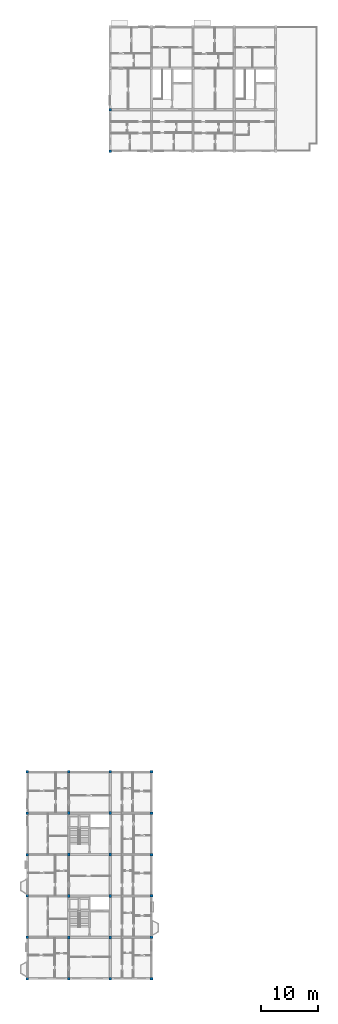
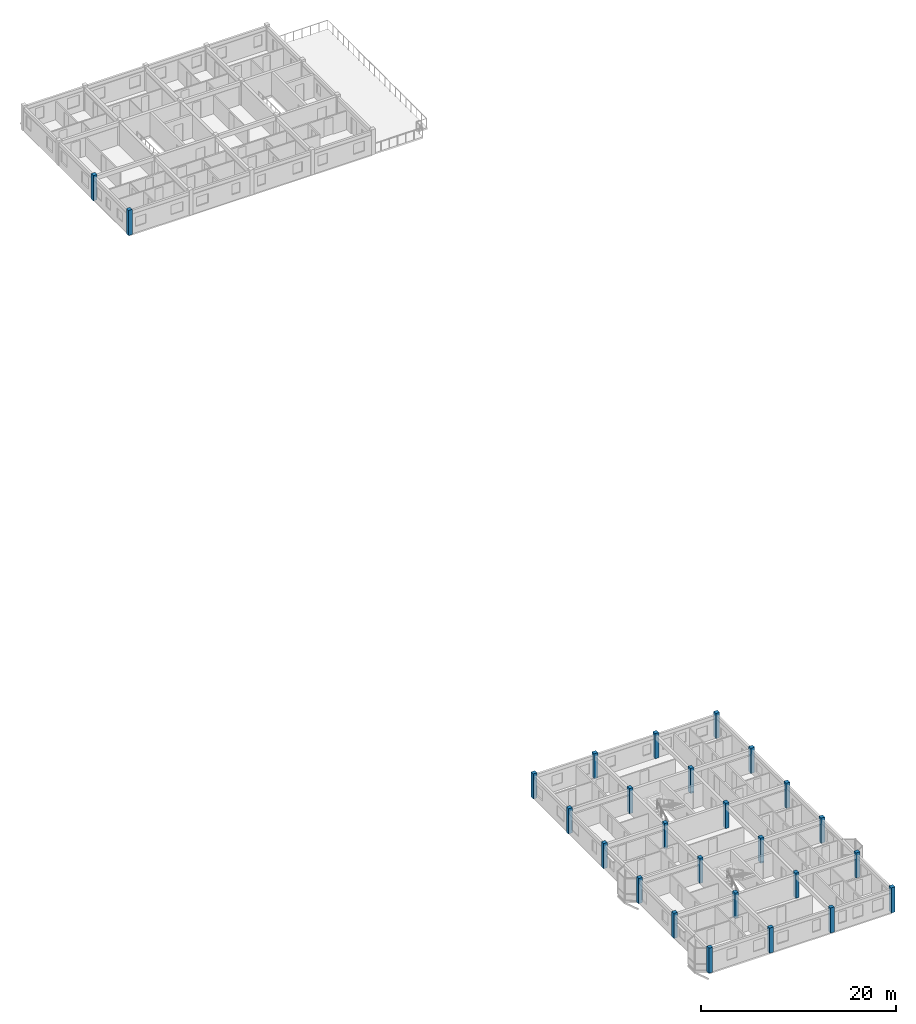
# One storey, part 1 of 23: 26 columns.
"""IFC4 building model written with IfcOpenShell, lengths in metres."""

from ifc_helpers import new_model, si_unit, direction, frame, origin, origin_2d, place, context, subcontext, project, spatial, rectangle, extrude, material, material_profile, profile_set, type_object, element, save


model = new_model("IFC4")

# Units and contexts
model_context = context("Model", 3, precision=1e-05, world=origin(), true_north=direction((0.0, 1.0)))
body_context = subcontext(model_context, "Body", "Model", "MODEL_VIEW")
ifc_project = project(units=[si_unit("LENGTHUNIT", "METRE"), si_unit("AREAUNIT", "SQUARE_METRE"), si_unit("VOLUMEUNIT", "CUBIC_METRE"), si_unit("PLANEANGLEUNIT", "RADIAN"), si_unit("MASSUNIT", "GRAM", prefix="KILO"), si_unit("THERMODYNAMICTEMPERATUREUNIT", "KELVIN"), si_unit("POWERUNIT", "WATT")], contexts=[model_context])

# Site, building, storey
site_placement = place(None, origin())
site = spatial("IfcSite", under=ifc_project, at=site_placement, CompositionType="ELEMENT")
building_placement = place(site_placement, origin())
building = spatial("IfcBuilding", under=site, at=building_placement, Name="Tavuni Mirador Residences", CompositionType="ELEMENT")
storey_placement = place(building_placement, frame((0.0, 0.0, 42.300048828125)))
storey = spatial("IfcBuildingStorey", under=building, at=storey_placement, Name="L13", CompositionType="ELEMENT", Elevation=42.300048828125)

# Columns
ifc_material = material(Name="Precast concrete C40/50", Category="concrete")
ifc_material_profile_1 = material_profile(ifc_material, rectangle(XDim=0.39990234375, YDim=0.5, at=origin_2d()), Name="PC 400x500", Category="concrete")
ifc_profile_set_1 = profile_set([ifc_material_profile_1], Name="Precast concrete C40/50")
column_type_1 = type_object("IfcColumnType", Name="CT-PC400X500", PredefinedType="COLUMN", material=ifc_profile_set_1)
for number, where, z_axis, x_axis, name in (
    (1, (10.800048828125, 14.39990234375, 0.0), (0.0, 0.0, 1.0), (1.0, 0.0, 0.0), "COL-BLK-A-L13-01-01"),
    (2, (10.800048828125, 21.60009765625, 0.0), (0.0, 0.0, 1.0), (1.0, 0.0, 0.0), "COL-BLK-A-L13-01-02"),
    (3, (10.800048828125, 28.800048828125, 0.0), (0.0, 0.0, 1.0), (1.0, 0.0, 0.0), "COL-BLK-A-L13-01-03"),
    (4, (10.800048828125, 36.0, 0.0), (0.0, 0.0, 1.0), (1.0, 0.0, 0.0), "COL-BLK-A-L13-01-04"),
    (5, (18.0, 14.39990234375, 0.0), (0.0, 0.0, 1.0), (1.0, 0.0, 0.0), "COL-BLK-A-L13-02-01"),
    (6, (18.0, 21.60009765625, 0.0), (0.0, 0.0, 1.0), (1.0, 0.0, 0.0), "COL-BLK-A-L13-02-02"),
    (7, (18.0, 28.800048828125, 0.0), (0.0, 0.0, 1.0), (1.0, 0.0, 0.0), "COL-BLK-A-L13-02-03"),
    (8, (18.0, 36.0, 0.0), (0.0, 0.0, 1.0), (1.0, 0.0, 0.0), "COL-BLK-A-L13-02-04"),
):
    element("IfcColumn", number, at=place(storey_placement, frame(where, z_axis=z_axis, x_axis=x_axis)), inside=storey, type_object=column_type_1, Name=name, PredefinedType="COLUMN", context=body_context, shape_type="SweptSolid", body=[
        extrude(rectangle(XDim=0.39990234375, YDim=0.5, at=origin_2d()), origin(), (0.0, 0.0, 1.0), 3.14990234375),
    ])
ifc_material_profile_2 = material_profile(ifc_material, rectangle(XDim=0.449951171875, YDim=0.449951171875, at=origin_2d()), Name="RC 450x450", Category="concrete")
ifc_profile_set_2 = profile_set([ifc_material_profile_2], Name="Precast concrete C40/50")
column_type_2 = type_object("IfcColumnType", Name="CT-RC450", PredefinedType="COLUMN", material=ifc_profile_set_2)
for number, where, z_axis, x_axis, name in (
    (9, (3.60009765625, 7.199951171875, 0.0), (0.0, 0.0, 1.0), (1.0, 0.0, 0.0), "COL-BLK-A-L13-00-00"),
    (10, (3.60009765625, 14.39990234375, 0.0), (0.0, 0.0, 1.0), (1.0, 0.0, 0.0), "COL-BLK-A-L13-00-01"),
    (11, (3.60009765625, 21.60009765625, 0.0), (0.0, 0.0, 1.0), (1.0, 0.0, 0.0), "COL-BLK-A-L13-00-02"),
    (12, (3.60009765625, 28.800048828125, 0.0), (0.0, 0.0, 1.0), (1.0, 0.0, 0.0), "COL-BLK-A-L13-00-03"),
    (13, (3.60009765625, 36.0, 0.0), (0.0, 0.0, 1.0), (1.0, 0.0, 0.0), "COL-BLK-A-L13-00-04"),
    (14, (3.60009765625, 43.199951171875, 0.0), (0.0, 0.0, 1.0), (1.0, 0.0, 0.0), "COL-BLK-A-L13-00-05"),
    (15, (10.800048828125, 7.199951171875, 0.0), (0.0, 0.0, 1.0), (1.0, 0.0, 0.0), "COL-BLK-A-L13-01-00"),
    (16, (10.800048828125, 43.199951171875, 0.0), (0.0, 0.0, 1.0), (1.0, 0.0, 0.0), "COL-BLK-A-L13-01-05"),
    (17, (18.0, 7.199951171875, 0.0), (0.0, 0.0, 1.0), (1.0, 0.0, 0.0), "COL-BLK-A-L13-02-00"),
    (18, (18.0, 43.199951171875, 0.0), (0.0, 0.0, 1.0), (1.0, 0.0, 0.0), "COL-BLK-A-L13-02-05"),
    (19, (25.199951171875, 7.199951171875, 0.0), (0.0, 0.0, 1.0), (1.0, 0.0, 0.0), "COL-BLK-A-L13-03-00"),
    (20, (25.199951171875, 14.39990234375, 0.0), (0.0, 0.0, 1.0), (1.0, 0.0, 0.0), "COL-BLK-A-L13-03-01"),
    (21, (25.199951171875, 21.60009765625, 0.0), (0.0, 0.0, 1.0), (1.0, 0.0, 0.0), "COL-BLK-A-L13-03-02"),
    (22, (25.199951171875, 28.800048828125, 0.0), (0.0, 0.0, 1.0), (1.0, 0.0, 0.0), "COL-BLK-A-L13-03-03"),
    (23, (25.199951171875, 36.0, 0.0), (0.0, 0.0, 1.0), (1.0, 0.0, 0.0), "COL-BLK-A-L13-03-04"),
    (24, (25.199951171875, 43.199951171875, 0.0), (0.0, 0.0, 1.0), (1.0, 0.0, 0.0), "COL-BLK-A-L13-03-05"),
    (25, (18.0, 151.199951171875, 0.0), (0.0, 0.0, 1.0), (1.0, 0.0, 0.0), "COL-BLK-C-L13-00-00"),
    (26, (18.0, 158.39990234375, 0.0), (0.0, 0.0, 1.0), (1.0, 0.0, 0.0), "COL-BLK-C-L13-00-01"),
):
    element("IfcColumn", number, at=place(storey_placement, frame(where, z_axis=z_axis, x_axis=x_axis)), inside=storey, type_object=column_type_2, Name=name, PredefinedType="COLUMN", context=body_context, shape_type="SweptSolid", body=[
        extrude(rectangle(XDim=0.449951171875, YDim=0.449951171875, at=origin_2d()), origin(), (0.0, 0.0, 1.0), 3.14990234375),
    ])

save(model, "model.ifc")
